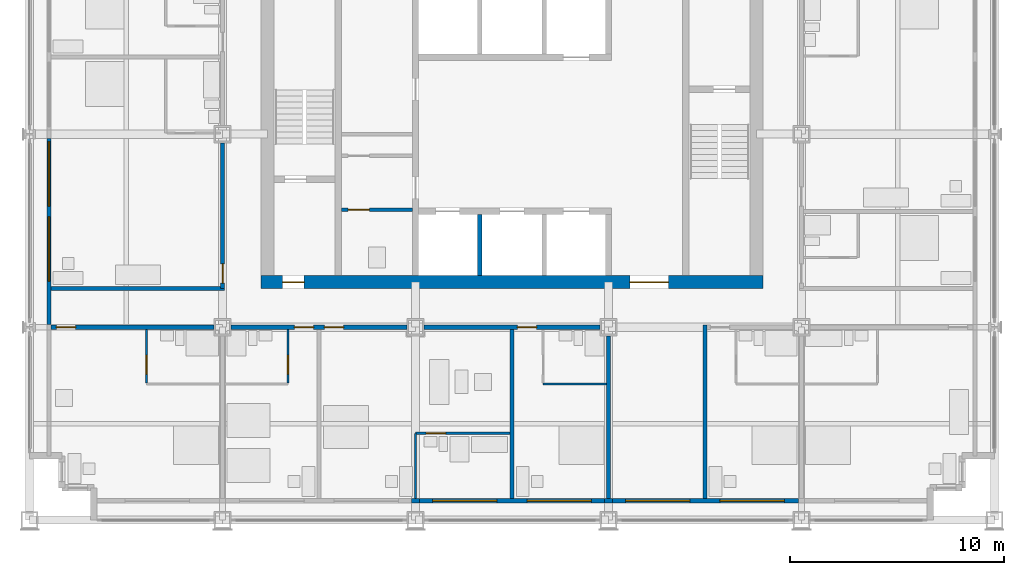
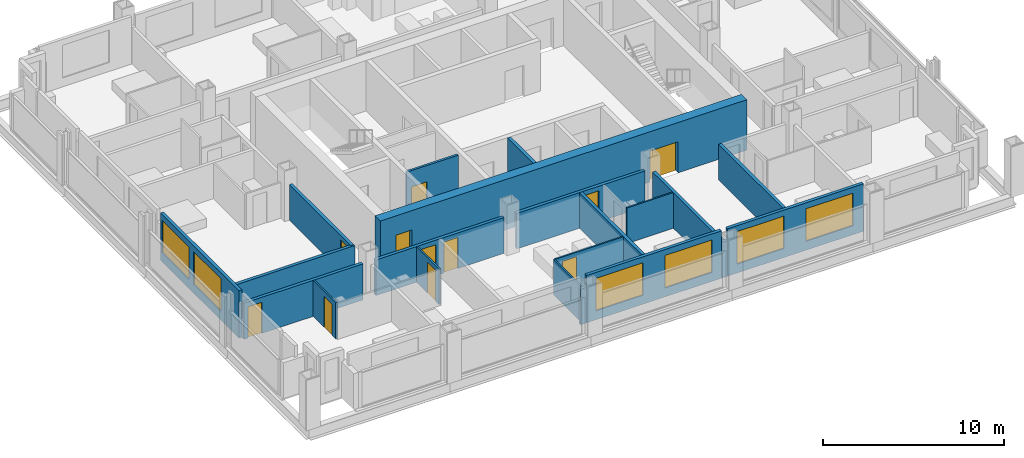
# One storey, part 9 of 16: 21 walls, 11 doors, 6 windows, 17 openings.
"""IFC4 building model written with IfcOpenShell, lengths in metres."""

from ifc_helpers import new_model, si_unit, direction, frame, frame_2d, origin, place, context, subcontext, project, spatial, rectangle, extrude, material, layer, layer_set, type_object, element, fill, save


model = new_model("IFC4")

# Units and contexts
model_context = context("Model", 3, precision=1e-05, world=origin(), true_north=direction((0.0, 1.0)))
body_context = subcontext(model_context, "Body", "Model", "MODEL_VIEW")
ifc_project = project(units=[si_unit("LENGTHUNIT", "METRE"), si_unit("AREAUNIT", "SQUARE_METRE"), si_unit("VOLUMEUNIT", "CUBIC_METRE"), si_unit("PLANEANGLEUNIT", "RADIAN"), si_unit("MASSUNIT", "GRAM", prefix="KILO")], contexts=[model_context])

# Site, building, storey
site_placement = place(None, origin())
site = spatial("IfcSite", under=ifc_project, at=site_placement, CompositionType="ELEMENT")
building_placement = place(site_placement, origin())
building = spatial("IfcBuilding", under=site, at=building_placement, Name="Loomwork Tower", CompositionType="ELEMENT")
storey_placement = place(building_placement, frame((0.0, 0.0, 118.0)))
storey = spatial("IfcBuildingStorey", under=building, at=storey_placement, Name="L31", CompositionType="ELEMENT", Elevation=118.0)

# Wall, openings, doors
ifc_material_1 = material(Name="Concrete 14000 psi (97 MPa)", Category="concrete")
ifc_layer_1 = layer(ifc_material_1, 0.60009765625)
ifc_layer_set_1 = layer_set([ifc_layer_1], Name="Core shear wall 600")
wall_type_1 = type_object("IfcWallType", Name="Core shear wall 600", PredefinedType="SHEAR", material=ifc_layer_set_1)
wall_1_placement = place(storey_placement, frame((10.800048828125, 11.10009765625, 0.0), z_axis=(0.0, 0.0, 1.0), x_axis=(1.0, 0.0, 0.0)))
wall_1 = element("IfcWall", 1, at=wall_1_placement, inside=storey, type_object=wall_type_1, Name="Core wall south L31", PredefinedType="SHEAR", context=body_context, shape_type="SweptSolid", body=[
    extrude(rectangle(XDim=23.39990234375, YDim=0.60009765625, at=frame_2d((11.699951171875, 0.0))), origin(), (0.0, 0.0, 1.0), 3.39990234375),
])
opening_1_placement = place(wall_1_placement, frame((1.0, 0.0, 0.0)))
opening_1 = element("IfcOpeningElement", 2, at=opening_1_placement, cuts=wall_1, Name="Opening D4", PredefinedType="OPENING", context=body_context, shape_type="SweptSolid", body=[
    extrude(rectangle(XDim=1.0, YDim=2.10009765625, at=frame_2d((0.5, 1.050048828125))), frame((0.0, 0.31005859375, 0.0), z_axis=(0.0, -1.0, 0.0), x_axis=(1.0, 0.0, 0.0)), (0.0, 0.0, 1.0), 0.6201171875),
])
opening_2_placement = place(wall_1_placement, frame((17.199951171875, 0.0, 0.0)))
opening_2 = element("IfcOpeningElement", 3, at=opening_2_placement, cuts=wall_1, Name="Opening D6", PredefinedType="OPENING", context=body_context, shape_type="SweptSolid", body=[
    extrude(rectangle(XDim=1.800048828125, YDim=2.10009765625, at=frame_2d((0.89990234375, 1.050048828125))), frame((0.0, 0.31005859375, 0.0), z_axis=(0.0, -1.0, 0.0), x_axis=(1.0, 0.0, 0.0)), (0.0, 0.0, 1.0), 0.6201171875),
])
ifc_material_2 = material(Name="Hollow metal door and frame")
door_type_1 = type_object("IfcDoorType", Name="Lobby passage double door 1800", OperationType="DOUBLE_DOOR_SINGLE_SWING", PredefinedType="DOOR", material=ifc_material_2)
door_1_placement = place(opening_2_placement, origin())
door_1 = element("IfcDoor", 4, at=door_1_placement, inside=storey, type_object=door_type_1, Name="Lobby passage door south", OperationType="DOUBLE_DOOR_SINGLE_SWING", OverallHeight=2.10009765625, OverallWidth=1.800048828125, PredefinedType="DOOR", context=body_context, shape_type="SweptSolid", body=[
    extrude(rectangle(XDim=1.800048828125, YDim=2.10009765625, at=frame_2d((0.89990234375, 1.050048828125))), frame((0.0, 0.02490234375, 0.0), z_axis=(0.0, -1.0, 0.0), x_axis=(1.0, 0.0, 0.0)), (0.0, 0.0, 1.0), 0.050048828125),
])
fill(opening_2, door_1)
ifc_material_3 = material(Name="Hollow metal door and frame")
door_type_2 = type_object("IfcDoorType", Name="Stair door 1000", OperationType="SINGLE_SWING_RIGHT", PredefinedType="DOOR", material=ifc_material_3)
door_2_placement = place(opening_1_placement, origin())
door_2 = element("IfcDoor", 5, at=door_2_placement, inside=storey, type_object=door_type_2, Name="Stair A vestibule door", OperationType="SINGLE_SWING_LEFT", OverallHeight=2.10009765625, OverallWidth=1.0, PredefinedType="DOOR", context=body_context, shape_type="SweptSolid", body=[
    extrude(rectangle(XDim=1.0, YDim=2.10009765625, at=frame_2d((0.5, 1.050048828125))), frame((0.0, 0.02490234375, 0.0), z_axis=(0.0, -1.0, 0.0), x_axis=(1.0, 0.0, 0.0)), (0.0, 0.0, 1.0), 0.050048828125),
])
fill(opening_1, door_2)

# Wall, opening, door
ifc_material_4 = material(Name="Gypsum board on steel studs, one-hour", Category="steel")
ifc_layer_2 = layer(ifc_material_4, 0.199951171875)
ifc_layer_set_2 = layer_set([ifc_layer_2], Name="Corridor wall 200")
wall_type_2 = type_object("IfcWallType", Name="Corridor wall 200", PredefinedType="PARTITIONING", material=ifc_layer_set_2)
wall_2_placement = place(storey_placement, frame((1.0, 9.0, 0.0), z_axis=(0.0, 0.0, 1.0), x_axis=(1.0, 0.0, 0.0)))
wall_2 = element("IfcWall", 6, at=wall_2_placement, inside=storey, type_object=wall_type_2, Name="South corridor wall 1", PredefinedType="PARTITIONING", context=body_context, shape_type="SweptSolid", body=[
    extrude(rectangle(XDim=7.60009765625, YDim=0.199951171875, at=frame_2d((3.800048828125, 0.0))), origin(), (0.0, 0.0, 1.0), 2.43798828125),
])
opening_3_placement = place(wall_2_placement, frame((0.25, 0.0, 0.0)))
opening_3 = element("IfcOpeningElement", 7, at=opening_3_placement, cuts=wall_2, Name="Opening D1", PredefinedType="OPENING", context=body_context, shape_type="SweptSolid", body=[
    extrude(rectangle(XDim=0.89990234375, YDim=2.10009765625, at=frame_2d((0.449951171875, 1.050048828125))), frame((0.0, 0.10986328125, 0.0), z_axis=(0.0, -1.0, 0.0), x_axis=(1.0, 0.0, 0.0)), (0.0, 0.0, 1.0), 0.219970703125),
])
ifc_material_5 = material(Name="Hollow metal door and frame")
door_type_3 = type_object("IfcDoorType", Name="Guest room entry door 900", OperationType="SINGLE_SWING_LEFT", PredefinedType="DOOR", material=ifc_material_5)
door_3_placement = place(opening_3_placement, frame((0.89990234375, 0.0, 0.0), z_axis=(0.0, 0.0, 1.0), x_axis=(-1.0, 0.0, 0.0)))
door_3 = element("IfcDoor", 8, at=door_3_placement, inside=storey, type_object=door_type_3, Name="Guest room entry door L31 1", OperationType="SINGLE_SWING_RIGHT", OverallHeight=2.10009765625, OverallWidth=0.89990234375, PredefinedType="DOOR", context=body_context, shape_type="SweptSolid", body=[
    extrude(rectangle(XDim=0.89990234375, YDim=2.10009765625, at=frame_2d((0.449951171875, 1.050048828125))), frame((0.0, 0.02490234375, 0.0), z_axis=(0.0, -1.0, 0.0), x_axis=(1.0, 0.0, 0.0)), (0.0, 0.0, 1.0), 0.050048828125),
])
fill(opening_3, door_3)

# Wall, openings, doors
wall_3_placement = place(storey_placement, frame((9.39990234375, 9.0, 0.0), z_axis=(0.0, 0.0, 1.0), x_axis=(1.0, 0.0, 0.0)))
wall_3 = element("IfcWall", 9, at=wall_3_placement, inside=storey, type_object=wall_type_2, Name="South corridor wall 2", PredefinedType="PARTITIONING", context=body_context, shape_type="SweptSolid", body=[
    extrude(rectangle(XDim=8.2001953125, YDim=0.199951171875, at=frame_2d((4.10009765625, 0.0))), origin(), (0.0, 0.0, 1.0), 2.405029296875),
])
opening_4_placement = place(wall_3_placement, frame((2.949951171875, 0.0, 0.0)))
opening_4 = element("IfcOpeningElement", 10, at=opening_4_placement, cuts=wall_3, Name="Opening D1", PredefinedType="OPENING", context=body_context, shape_type="SweptSolid", body=[
    extrude(rectangle(XDim=0.89990234375, YDim=2.10009765625, at=frame_2d((0.449951171875, 1.050048828125))), frame((0.0, 0.10986328125, 0.0), z_axis=(0.0, -1.0, 0.0), x_axis=(1.0, 0.0, 0.0)), (0.0, 0.0, 1.0), 0.219970703125),
])
opening_5_placement = place(wall_3_placement, frame((4.35009765625, 0.0, 0.0)))
opening_5 = element("IfcOpeningElement", 11, at=opening_5_placement, cuts=wall_3, Name="Opening D1", PredefinedType="OPENING", context=body_context, shape_type="SweptSolid", body=[
    extrude(rectangle(XDim=0.89990234375, YDim=2.10009765625, at=frame_2d((0.449951171875, 1.050048828125))), frame((0.0, 0.10986328125, 0.0), z_axis=(0.0, -1.0, 0.0), x_axis=(1.0, 0.0, 0.0)), (0.0, 0.0, 1.0), 0.219970703125),
])
door_4_placement = place(opening_4_placement, frame((0.89990234375, 0.0, 0.0), z_axis=(0.0, 0.0, 1.0), x_axis=(-1.0, 0.0, 0.0)))
door_4 = element("IfcDoor", 12, at=door_4_placement, inside=storey, type_object=door_type_3, Name="Guest room entry door L31 2", OperationType="SINGLE_SWING_LEFT", OverallHeight=2.10009765625, OverallWidth=0.89990234375, PredefinedType="DOOR", context=body_context, shape_type="SweptSolid", body=[
    extrude(rectangle(XDim=0.89990234375, YDim=2.10009765625, at=frame_2d((0.449951171875, 1.050048828125))), frame((0.0, 0.02490234375, 0.0), z_axis=(0.0, -1.0, 0.0), x_axis=(1.0, 0.0, 0.0)), (0.0, 0.0, 1.0), 0.050048828125),
])
fill(opening_4, door_4)
door_5_placement = place(opening_5_placement, frame((0.89990234375, 0.0, 0.0), z_axis=(0.0, 0.0, 1.0), x_axis=(-1.0, 0.0, 0.0)))
door_5 = element("IfcDoor", 13, at=door_5_placement, inside=storey, type_object=door_type_3, Name="Guest room entry door L31 3", OperationType="SINGLE_SWING_RIGHT", OverallHeight=2.10009765625, OverallWidth=0.89990234375, PredefinedType="DOOR", context=body_context, shape_type="SweptSolid", body=[
    extrude(rectangle(XDim=0.89990234375, YDim=2.10009765625, at=frame_2d((0.449951171875, 1.050048828125))), frame((0.0, 0.02490234375, 0.0), z_axis=(0.0, -1.0, 0.0), x_axis=(1.0, 0.0, 0.0)), (0.0, 0.0, 1.0), 0.050048828125),
])
fill(opening_5, door_5)

# Wall, opening, door
wall_4_placement = place(storey_placement, frame((18.39990234375, 9.0, 0.0), z_axis=(0.0, 0.0, 1.0), x_axis=(1.0, 0.0, 0.0)))
wall_4 = element("IfcWall", 14, at=wall_4_placement, inside=storey, type_object=wall_type_2, Name="South corridor wall 3", PredefinedType="PARTITIONING", context=body_context, shape_type="SweptSolid", body=[
    extrude(rectangle(XDim=8.2001953125, YDim=0.199951171875, at=frame_2d((4.10009765625, 0.0))), origin(), (0.0, 0.0, 1.0), 2.405029296875),
])
opening_6_placement = place(wall_4_placement, frame((4.35009765625, 0.0, 0.0)))
opening_6 = element("IfcOpeningElement", 15, at=opening_6_placement, cuts=wall_4, Name="Opening D1", PredefinedType="OPENING", context=body_context, shape_type="SweptSolid", body=[
    extrude(rectangle(XDim=0.89990234375, YDim=2.10009765625, at=frame_2d((0.449951171875, 1.050048828125))), frame((0.0, 0.10986328125, 0.0), z_axis=(0.0, -1.0, 0.0), x_axis=(1.0, 0.0, 0.0)), (0.0, 0.0, 1.0), 0.219970703125),
])
door_6_placement = place(opening_6_placement, frame((0.89990234375, 0.0, 0.0), z_axis=(0.0, 0.0, 1.0), x_axis=(-1.0, 0.0, 0.0)))
door_6 = element("IfcDoor", 16, at=door_6_placement, inside=storey, type_object=door_type_3, Name="Guest room entry door L31 4", OperationType="SINGLE_SWING_RIGHT", OverallHeight=2.10009765625, OverallWidth=0.89990234375, PredefinedType="DOOR", context=body_context, shape_type="SweptSolid", body=[
    extrude(rectangle(XDim=0.89990234375, YDim=2.10009765625, at=frame_2d((0.449951171875, 1.050048828125))), frame((0.0, 0.02490234375, 0.0), z_axis=(0.0, -1.0, 0.0), x_axis=(1.0, 0.0, 0.0)), (0.0, 0.0, 1.0), 0.050048828125),
])
fill(opening_6, door_6)

wall_5_placement = place(storey_placement, frame((9.0, 10.800048828125, 0.0), z_axis=(0.0, 0.0, 1.0), x_axis=(0.0, 1.0, 0.0)))
wall_5 = element("IfcWall", 17, at=wall_5_placement, inside=storey, type_object=wall_type_2, Name="West corridor wall 1", PredefinedType="PARTITIONING", context=body_context, shape_type="SweptSolid", body=[
    extrude(rectangle(XDim=6.800048828125, YDim=0.199951171875, at=frame_2d((3.39990234375, 0.0))), origin(), (0.0, 0.0, 1.0), 2.405029296875),
])
opening_7_placement = place(wall_5_placement, frame((0.25, 0.0, 0.0)))
opening_7 = element("IfcOpeningElement", 18, at=opening_7_placement, cuts=wall_5, Name="Opening D1", PredefinedType="OPENING", context=body_context, shape_type="SweptSolid", body=[
    extrude(rectangle(XDim=0.89990234375, YDim=2.10009765625, at=frame_2d((0.449951171875, 1.050048828125))), frame((0.0, 0.10986328125, 0.0), z_axis=(0.0, -1.0, 0.0), x_axis=(1.0, 0.0, 0.0)), (0.0, 0.0, 1.0), 0.219970703125),
])
door_7_placement = place(opening_7_placement, origin())
door_7 = element("IfcDoor", 19, at=door_7_placement, inside=storey, type_object=door_type_3, Name="Guest room entry door L31 12", OperationType="SINGLE_SWING_LEFT", OverallHeight=2.10009765625, OverallWidth=0.89990234375, PredefinedType="DOOR", context=body_context, shape_type="SweptSolid", body=[
    extrude(rectangle(XDim=0.89990234375, YDim=2.10009765625, at=frame_2d((0.449951171875, 1.050048828125))), frame((0.0, 0.02490234375, 0.0), z_axis=(0.0, -1.0, 0.0), x_axis=(1.0, 0.0, 0.0)), (0.0, 0.0, 1.0), 0.050048828125),
])
fill(opening_7, door_7)

# Wall
wall_6_placement = place(storey_placement, frame((1.0, 10.800048828125, 0.0), z_axis=(0.0, 0.0, 1.0), x_axis=(1.0, 0.0, 0.0)))
element("IfcWall", 20, at=wall_6_placement, inside=storey, type_object=wall_type_2, Name="West band end wall S", PredefinedType="PARTITIONING", context=body_context, shape_type="SweptSolid", body=[
    extrude(rectangle(XDim=8.10009765625, YDim=0.199951171875, at=frame_2d((4.050048828125, 0.0))), origin(), (0.0, 0.0, 1.0), 2.404052734375),
])

# Wall, opening, door
ifc_material_6 = material(Name="Cement board on steel studs", Category="steel")
ifc_layer_3 = layer(ifc_material_6, 0.10009765625)
ifc_layer_set_3 = layer_set([ifc_layer_3], Name="En-suite partition 100")
wall_type_3 = type_object("IfcWallType", Name="En-suite partition 100", PredefinedType="PARTITIONING", material=ifc_layer_set_3)
wall_7_placement = place(storey_placement, frame((5.449951171875, 8.89990234375, 0.0), z_axis=(0.0, 0.0, 1.0), x_axis=(0.0, -1.0, 0.0)))
wall_7 = element("IfcWall", 21, at=wall_7_placement, inside=storey, type_object=wall_type_3, Name="En-suite side wall L31 room 1", PredefinedType="PARTITIONING", context=body_context, shape_type="SweptSolid", body=[
    extrude(rectangle(XDim=2.5, YDim=0.10009765625, at=frame_2d((1.25, 0.0))), origin(), (0.0, 0.0, 1.0), 2.43798828125),
])
opening_8_placement = place(wall_7_placement, frame((1.199951171875, 0.0, 0.0)))
opening_8 = element("IfcOpeningElement", 22, at=opening_8_placement, cuts=wall_7, Name="Opening D3", PredefinedType="OPENING", context=body_context, shape_type="SweptSolid", body=[
    extrude(rectangle(XDim=0.89990234375, YDim=2.10009765625, at=frame_2d((0.449951171875, 1.050048828125))), frame((0.0, 0.06005859375, 0.0), z_axis=(0.0, -1.0, 0.0), x_axis=(1.0, 0.0, 0.0)), (0.0, 0.0, 1.0), 0.1201171875),
])
ifc_material_7 = material(Name="Hollow metal door and frame")
door_type_4 = type_object("IfcDoorType", Name="Accessible en-suite door 900", OperationType="SLIDING_TO_LEFT", PredefinedType="DOOR", material=ifc_material_7)
door_8_placement = place(opening_8_placement, origin())
door_8 = element("IfcDoor", 23, at=door_8_placement, inside=storey, type_object=door_type_4, Name="Accessible en-suite door room 1", OperationType="SLIDING_TO_LEFT", OverallHeight=2.10009765625, OverallWidth=0.89990234375, PredefinedType="DOOR", context=body_context, shape_type="SweptSolid", body=[
    extrude(rectangle(XDim=0.89990234375, YDim=2.10009765625, at=frame_2d((0.449951171875, 1.050048828125))), frame((0.0, 0.02490234375, 0.0), z_axis=(0.0, -1.0, 0.0), x_axis=(1.0, 0.0, 0.0)), (0.0, 0.0, 1.0), 0.050048828125),
])
fill(opening_8, door_8)

wall_8_placement = place(storey_placement, frame((12.050048828125, 8.89990234375, 0.0), z_axis=(0.0, 0.0, 1.0), x_axis=(0.0, -1.0, 0.0)))
wall_8 = element("IfcWall", 24, at=wall_8_placement, inside=storey, type_object=wall_type_3, Name="En-suite side wall L31 room 2", PredefinedType="PARTITIONING", context=body_context, shape_type="SweptSolid", body=[
    extrude(rectangle(XDim=2.5, YDim=0.10009765625, at=frame_2d((1.25, 0.0))), origin(), (0.0, 0.0, 1.0), 2.404052734375),
])
opening_9_placement = place(wall_8_placement, frame((1.199951171875, 0.0, 0.0)))
opening_9 = element("IfcOpeningElement", 25, at=opening_9_placement, cuts=wall_8, Name="Opening D2", PredefinedType="OPENING", context=body_context, shape_type="SweptSolid", body=[
    extrude(rectangle(XDim=0.89990234375, YDim=2.10009765625, at=frame_2d((0.449951171875, 1.050048828125))), frame((0.0, 0.06005859375, 0.0), z_axis=(0.0, -1.0, 0.0), x_axis=(1.0, 0.0, 0.0)), (0.0, 0.0, 1.0), 0.1201171875),
])
ifc_material_8 = material(Name="Hollow metal door and frame")
door_type_5 = type_object("IfcDoorType", Name="En-suite door 900", OperationType="SINGLE_SWING_LEFT", PredefinedType="DOOR", material=ifc_material_8)
door_9_placement = place(opening_9_placement, frame((0.89990234375, 0.0, 0.0), z_axis=(0.0, 0.0, 1.0), x_axis=(-1.0, 0.0, 0.0)))
door_9 = element("IfcDoor", 26, at=door_9_placement, inside=storey, type_object=door_type_5, Name="En-suite door room 2", OperationType="SINGLE_SWING_LEFT", OverallHeight=2.10009765625, OverallWidth=0.89990234375, PredefinedType="DOOR", context=body_context, shape_type="SweptSolid", body=[
    extrude(rectangle(XDim=0.89990234375, YDim=2.10009765625, at=frame_2d((0.449951171875, 1.050048828125))), frame((0.0, 0.02490234375, 0.0), z_axis=(0.0, -1.0, 0.0), x_axis=(1.0, 0.0, 0.0)), (0.0, 0.0, 1.0), 0.050048828125),
])
fill(opening_9, door_9)

wall_9_placement = place(storey_placement, frame((18.0, 4.050048828125, 0.0), z_axis=(0.0, 0.0, 1.0), x_axis=(1.0, 0.0, 0.0)))
wall_9 = element("IfcWall", 27, at=wall_9_placement, inside=storey, type_object=wall_type_3, Name="Spa bathroom wall L31 room 3", PredefinedType="PARTITIONING", context=body_context, shape_type="SweptSolid", body=[
    extrude(rectangle(XDim=4.39990234375, YDim=0.10009765625, at=frame_2d((2.199951171875, 0.0))), origin(), (0.0, 0.0, 1.0), 2.404052734375),
])
opening_10_placement = place(wall_9_placement, frame((0.5, 0.0, 0.0)))
opening_10 = element("IfcOpeningElement", 28, at=opening_10_placement, cuts=wall_9, Name="Opening D2", PredefinedType="OPENING", context=body_context, shape_type="SweptSolid", body=[
    extrude(rectangle(XDim=0.89990234375, YDim=2.10009765625, at=frame_2d((0.449951171875, 1.050048828125))), frame((0.0, 0.06005859375, 0.0), z_axis=(0.0, -1.0, 0.0), x_axis=(1.0, 0.0, 0.0)), (0.0, 0.0, 1.0), 0.1201171875),
])
door_10_placement = place(opening_10_placement, frame((0.89990234375, 0.0, 0.0), z_axis=(0.0, 0.0, 1.0), x_axis=(-1.0, 0.0, 0.0)))
door_10 = element("IfcDoor", 29, at=door_10_placement, inside=storey, type_object=door_type_5, Name="Spa bathroom door room 3", OperationType="SINGLE_SWING_RIGHT", OverallHeight=2.10009765625, OverallWidth=0.89990234375, PredefinedType="DOOR", context=body_context, shape_type="SweptSolid", body=[
    extrude(rectangle(XDim=0.89990234375, YDim=2.10009765625, at=frame_2d((0.449951171875, 1.050048828125))), frame((0.0, 0.02490234375, 0.0), z_axis=(0.0, -1.0, 0.0), x_axis=(1.0, 0.0, 0.0)), (0.0, 0.0, 1.0), 0.050048828125),
])
fill(opening_10, door_10)

# Walls
wall_10_placement = place(storey_placement, frame((18.0, 4.050048828125, 0.0), z_axis=(0.0, 0.0, 1.0), x_axis=(0.0, -1.0, 0.0)))
element("IfcWall", 30, at=wall_10_placement, inside=storey, type_object=wall_type_3, Name="Spa bathroom side wall L31 room 3", PredefinedType="PARTITIONING", context=body_context, shape_type="SweptSolid", body=[
    extrude(rectangle(XDim=3.050048828125, YDim=0.10009765625, at=frame_2d((1.52490234375, 0.0))), origin(), (0.0, 0.0, 1.0), 2.405029296875),
])
wall_11_placement = place(storey_placement, frame((23.949951171875, 6.35009765625, 0.0), z_axis=(0.0, 0.0, 1.0), x_axis=(1.0, 0.0, 0.0)))
element("IfcWall", 31, at=wall_11_placement, inside=storey, type_object=wall_type_3, Name="En-suite wall L31 room 4", PredefinedType="PARTITIONING", context=body_context, shape_type="SweptSolid", body=[
    extrude(rectangle(XDim=2.949951171875, YDim=0.10009765625, at=frame_2d((1.47509765625, 0.0))), origin(), (0.0, 0.0, 1.0), 2.404052734375),
])
ifc_material_9 = material(Name="Gypsum board on steel studs, acoustic", Category="steel")
ifc_layer_4 = layer(ifc_material_9, 0.199951171875)
ifc_layer_set_4 = layer_set([ifc_layer_4], Name="Guest room party wall 200")
wall_type_4 = type_object("IfcWallType", Name="Guest room party wall 200", PredefinedType="PARTITIONING", material=ifc_layer_set_4)
wall_12_placement = place(storey_placement, frame((22.5, 8.89990234375, 0.0), z_axis=(0.0, 0.0, 1.0), x_axis=(0.0, -1.0, 0.0)))
element("IfcWall", 32, at=wall_12_placement, inside=storey, type_object=wall_type_4, Name="Guest room party wall S 22.5", PredefinedType="PARTITIONING", context=body_context, shape_type="SweptSolid", body=[
    extrude(rectangle(XDim=7.89990234375, YDim=0.199951171875, at=frame_2d((3.949951171875, 0.0))), origin(), (0.0, 0.0, 1.0), 2.404052734375),
])
wall_13_placement = place(storey_placement, frame((27.0, 8.60009765625, 0.0), z_axis=(0.0, 0.0, 1.0), x_axis=(0.0, -1.0, 0.0)))
element("IfcWall", 33, at=wall_13_placement, inside=storey, type_object=wall_type_4, Name="Guest room party wall S 27", PredefinedType="PARTITIONING", context=body_context, shape_type="SweptSolid", body=[
    extrude(rectangle(XDim=7.60009765625, YDim=0.199951171875, at=frame_2d((3.800048828125, 0.0))), origin(), (0.0, 0.0, 1.0), 2.405029296875),
])
wall_14_placement = place(storey_placement, frame((31.5, 9.10009765625, 0.0), z_axis=(0.0, 0.0, 1.0), x_axis=(0.0, -1.0, 0.0)))
element("IfcWall", 34, at=wall_14_placement, inside=storey, type_object=wall_type_4, Name="Guest room party wall S 31.5", PredefinedType="PARTITIONING", context=body_context, shape_type="SweptSolid", body=[
    extrude(rectangle(XDim=8.10009765625, YDim=0.199951171875, at=frame_2d((4.050048828125, 0.0))), origin(), (0.0, 0.0, 1.0), 2.404052734375),
])
ifc_material_10 = material(Name="Insulated steel stud wall with gypsum lining", Category="steel")
ifc_layer_5 = layer(ifc_material_10, 0.199951171875)
ifc_layer_set_5 = layer_set([ifc_layer_5], Name="Inner skin wall 200")
wall_type_5 = type_object("IfcWallType", Name="Inner skin wall 200", PredefinedType="SOLIDWALL", material=ifc_layer_set_5)
wall_15_placement = place(storey_placement, frame((17.80615234375, 0.89990234375, 0.0), z_axis=(0.0, 0.0, 1.0), x_axis=(1.0, 0.0, 0.0)))
element("IfcWall", 35, at=wall_15_placement, inside=storey, type_object=wall_type_5, Name="Inner skin wall S bay 4", PredefinedType="SOLIDWALL", context=body_context, shape_type="SweptSolid", body=[
    extrude(rectangle(XDim=0.3876953125, YDim=0.199951171875, at=frame_2d((0.19384765625, 0.0))), origin(), (0.0, 0.0, 1.0), 2.404052734375),
])

# Wall, openings, windows
wall_16_placement = place(storey_placement, frame((18.19384765625, 0.89990234375, 0.0), z_axis=(0.0, 0.0, 1.0), x_axis=(1.0, 0.0, 0.0)))
wall_16 = element("IfcWall", 36, at=wall_16_placement, inside=storey, type_object=wall_type_5, Name="Inner skin wall S bay 5", PredefinedType="SOLIDWALL", context=body_context, shape_type="SweptSolid", body=[
    extrude(rectangle(XDim=8.6123046875, YDim=0.199951171875, at=frame_2d((4.30615234375, 0.0))), origin(), (0.0, 0.0, 1.0), 3.199951171875),
])
opening_11_placement = place(wall_16_placement, frame((0.606201171875, 0.0, 0.60009765625)))
opening_11 = element("IfcOpeningElement", 37, at=opening_11_placement, cuts=wall_16, Name="Opening CH1", PredefinedType="OPENING", context=body_context, shape_type="SweptSolid", body=[
    extrude(rectangle(XDim=3.0, YDim=2.199951171875, at=frame_2d((1.5, 1.10009765625))), frame((0.0, 0.10986328125, 0.0), z_axis=(0.0, -1.0, 0.0), x_axis=(1.0, 0.0, 0.0)), (0.0, 0.0, 1.0), 0.219970703125),
])
opening_12_placement = place(wall_16_placement, frame((5.006103515625, 0.0, 0.60009765625)))
opening_12 = element("IfcOpeningElement", 38, at=opening_12_placement, cuts=wall_16, Name="Opening CH1", PredefinedType="OPENING", context=body_context, shape_type="SweptSolid", body=[
    extrude(rectangle(XDim=3.0, YDim=2.199951171875, at=frame_2d((1.5, 1.10009765625))), frame((0.0, 0.10986328125, 0.0), z_axis=(0.0, -1.0, 0.0), x_axis=(1.0, 0.0, 0.0)), (0.0, 0.0, 1.0), 0.219970703125),
])
ifc_material_11 = material(Name="Aluminium frame with clear insulated glass", Category="aluminium")
window_type = type_object("IfcWindowType", Name="Chicago window 3000", PartitioningType="TRIPLE_PANEL_VERTICAL", PredefinedType="WINDOW", material=ifc_material_11)
window_1_placement = place(opening_11_placement, origin())
window_1 = element("IfcWindow", 39, at=window_1_placement, inside=storey, type_object=window_type, Name="Chicago window L31 bay 3", OverallHeight=2.199951171875, OverallWidth=3.0, PartitioningType="TRIPLE_PANEL_VERTICAL", PredefinedType="WINDOW", context=body_context, shape_type="SweptSolid", body=[
    extrude(rectangle(XDim=3.0, YDim=2.199951171875, at=frame_2d((1.5, 1.10009765625))), frame((0.0, 0.030029296875, 0.0), z_axis=(0.0, -1.0, 0.0), x_axis=(1.0, 0.0, 0.0)), (0.0, 0.0, 1.0), 0.06005859375),
])
fill(opening_11, window_1)
window_2_placement = place(opening_12_placement, origin())
window_2 = element("IfcWindow", 40, at=window_2_placement, inside=storey, type_object=window_type, Name="Chicago window L31 bay 3", OverallHeight=2.199951171875, OverallWidth=3.0, PartitioningType="TRIPLE_PANEL_VERTICAL", PredefinedType="WINDOW", context=body_context, shape_type="SweptSolid", body=[
    extrude(rectangle(XDim=3.0, YDim=2.199951171875, at=frame_2d((1.5, 1.10009765625))), frame((0.0, 0.030029296875, 0.0), z_axis=(0.0, -1.0, 0.0), x_axis=(1.0, 0.0, 0.0)), (0.0, 0.0, 1.0), 0.06005859375),
])
fill(opening_12, window_2)

# Wall
wall_17_placement = place(storey_placement, frame((26.80615234375, 0.89990234375, 0.0), z_axis=(0.0, 0.0, 1.0), x_axis=(1.0, 0.0, 0.0)))
element("IfcWall", 41, at=wall_17_placement, inside=storey, type_object=wall_type_5, Name="Inner skin wall S bay 6", PredefinedType="SOLIDWALL", context=body_context, shape_type="SweptSolid", body=[
    extrude(rectangle(XDim=0.3876953125, YDim=0.199951171875, at=frame_2d((0.19384765625, 0.0))), origin(), (0.0, 0.0, 1.0), 2.404052734375),
])

# Wall, openings, windows
wall_18_placement = place(storey_placement, frame((27.19384765625, 0.89990234375, 0.0), z_axis=(0.0, 0.0, 1.0), x_axis=(1.0, 0.0, 0.0)))
wall_18 = element("IfcWall", 42, at=wall_18_placement, inside=storey, type_object=wall_type_5, Name="Inner skin wall S bay 7", PredefinedType="SOLIDWALL", context=body_context, shape_type="SweptSolid", body=[
    extrude(rectangle(XDim=8.670654296875, YDim=0.199951171875, at=frame_2d((4.33544921875, 0.0))), origin(), (0.0, 0.0, 1.0), 3.199951171875),
])
opening_13_placement = place(wall_18_placement, frame((0.606201171875, 0.0, 0.60009765625)))
opening_13 = element("IfcOpeningElement", 43, at=opening_13_placement, cuts=wall_18, Name="Opening CH1", PredefinedType="OPENING", context=body_context, shape_type="SweptSolid", body=[
    extrude(rectangle(XDim=3.0, YDim=2.199951171875, at=frame_2d((1.5, 1.10009765625))), frame((0.0, 0.10986328125, 0.0), z_axis=(0.0, -1.0, 0.0), x_axis=(1.0, 0.0, 0.0)), (0.0, 0.0, 1.0), 0.219970703125),
])
opening_14_placement = place(wall_18_placement, frame((5.006103515625, 0.0, 0.60009765625)))
opening_14 = element("IfcOpeningElement", 44, at=opening_14_placement, cuts=wall_18, Name="Opening CH1", PredefinedType="OPENING", context=body_context, shape_type="SweptSolid", body=[
    extrude(rectangle(XDim=3.0, YDim=2.199951171875, at=frame_2d((1.5, 1.10009765625))), frame((0.0, 0.10986328125, 0.0), z_axis=(0.0, -1.0, 0.0), x_axis=(1.0, 0.0, 0.0)), (0.0, 0.0, 1.0), 0.219970703125),
])
window_3_placement = place(opening_13_placement, origin())
window_3 = element("IfcWindow", 45, at=window_3_placement, inside=storey, type_object=window_type, Name="Chicago window L31 bay 4", OverallHeight=2.199951171875, OverallWidth=3.0, PartitioningType="TRIPLE_PANEL_VERTICAL", PredefinedType="WINDOW", context=body_context, shape_type="SweptSolid", body=[
    extrude(rectangle(XDim=3.0, YDim=2.199951171875, at=frame_2d((1.5, 1.10009765625))), frame((0.0, 0.030029296875, 0.0), z_axis=(0.0, -1.0, 0.0), x_axis=(1.0, 0.0, 0.0)), (0.0, 0.0, 1.0), 0.06005859375),
])
fill(opening_13, window_3)
window_4_placement = place(opening_14_placement, origin())
window_4 = element("IfcWindow", 46, at=window_4_placement, inside=storey, type_object=window_type, Name="Chicago window L31 bay 4", OverallHeight=2.199951171875, OverallWidth=3.0, PartitioningType="TRIPLE_PANEL_VERTICAL", PredefinedType="WINDOW", context=body_context, shape_type="SweptSolid", body=[
    extrude(rectangle(XDim=3.0, YDim=2.199951171875, at=frame_2d((1.5, 1.10009765625))), frame((0.0, 0.030029296875, 0.0), z_axis=(0.0, -1.0, 0.0), x_axis=(1.0, 0.0, 0.0)), (0.0, 0.0, 1.0), 0.06005859375),
])
fill(opening_14, window_4)

wall_19_placement = place(storey_placement, frame((0.89990234375, 9.13525390625, 0.0), z_axis=(0.0, 0.0, 1.0), x_axis=(0.0, 1.0, 0.0)))
wall_19 = element("IfcWall", 47, at=wall_19_placement, inside=storey, type_object=wall_type_5, Name="Inner skin wall W bay 5", PredefinedType="SOLIDWALL", context=body_context, shape_type="SweptSolid", body=[
    extrude(rectangle(XDim=8.6708984375, YDim=0.199951171875, at=frame_2d((4.33544921875, 0.0))), origin(), (0.0, 0.0, 1.0), 3.199951171875),
])
opening_15_placement = place(wall_19_placement, frame((2.0146484375, 0.0, 0.60009765625)))
opening_15 = element("IfcOpeningElement", 48, at=opening_15_placement, cuts=wall_19, Name="Opening CH1", PredefinedType="OPENING", context=body_context, shape_type="SweptSolid", body=[
    extrude(rectangle(XDim=3.0, YDim=2.199951171875, at=frame_2d((1.5, 1.10009765625))), frame((0.0, 0.10986328125, 0.0), z_axis=(0.0, -1.0, 0.0), x_axis=(1.0, 0.0, 0.0)), (0.0, 0.0, 1.0), 0.219970703125),
])
opening_16_placement = place(wall_19_placement, frame((5.5146484375, 0.0, 0.60009765625)))
opening_16 = element("IfcOpeningElement", 49, at=opening_16_placement, cuts=wall_19, Name="Opening CH1", PredefinedType="OPENING", context=body_context, shape_type="SweptSolid", body=[
    extrude(rectangle(XDim=3.0, YDim=2.199951171875, at=frame_2d((1.5, 1.10009765625))), frame((0.0, 0.10986328125, 0.0), z_axis=(0.0, -1.0, 0.0), x_axis=(1.0, 0.0, 0.0)), (0.0, 0.0, 1.0), 0.219970703125),
])
window_5_placement = place(opening_15_placement, origin())
window_5 = element("IfcWindow", 50, at=window_5_placement, inside=storey, type_object=window_type, Name="Chicago window L31 bay 11", OverallHeight=2.199951171875, OverallWidth=3.0, PartitioningType="TRIPLE_PANEL_VERTICAL", PredefinedType="WINDOW", context=body_context, shape_type="SweptSolid", body=[
    extrude(rectangle(XDim=3.0, YDim=2.199951171875, at=frame_2d((1.5, 1.10009765625))), frame((0.0, 0.030029296875, 0.0), z_axis=(0.0, -1.0, 0.0), x_axis=(1.0, 0.0, 0.0)), (0.0, 0.0, 1.0), 0.06005859375),
])
fill(opening_15, window_5)
window_6_placement = place(opening_16_placement, origin())
window_6 = element("IfcWindow", 51, at=window_6_placement, inside=storey, type_object=window_type, Name="Chicago window L31 bay 11", OverallHeight=2.199951171875, OverallWidth=3.0, PartitioningType="TRIPLE_PANEL_VERTICAL", PredefinedType="WINDOW", context=body_context, shape_type="SweptSolid", body=[
    extrude(rectangle(XDim=3.0, YDim=2.199951171875, at=frame_2d((1.5, 1.10009765625))), frame((0.0, 0.030029296875, 0.0), z_axis=(0.0, -1.0, 0.0), x_axis=(1.0, 0.0, 0.0)), (0.0, 0.0, 1.0), 0.06005859375),
])
fill(opening_16, window_6)

# Wall
ifc_material_12 = material(Name="Concrete 14000 psi (97 MPa)", Category="concrete")
ifc_layer_6 = layer(ifc_material_12, 0.199951171875)
ifc_layer_set_6 = layer_set([ifc_layer_6], Name="Lift shaft wall 200")
wall_type_6 = type_object("IfcWallType", Name="Lift shaft wall 200", PredefinedType="SHEAR", material=ifc_layer_set_6)
wall_20_placement = place(storey_placement, frame((21.0, 11.39990234375, 0.0), z_axis=(0.0, 0.0, 1.0), x_axis=(0.0, 1.0, 0.0)))
element("IfcWall", 52, at=wall_20_placement, inside=storey, type_object=wall_type_6, Name="Lift shaft separation wall south 1 L31", PredefinedType="SHEAR", context=body_context, shape_type="SweptSolid", body=[
    extrude(rectangle(XDim=2.85009765625, YDim=0.199951171875, at=frame_2d((1.425048828125, 0.0))), origin(), (0.0, 0.0, 1.0), 3.39990234375),
])

# Wall, opening, door
ifc_material_13 = material(Name="Gypsum board on steel studs, one-hour", Category="steel")
ifc_layer_7 = layer(ifc_material_13, 0.14990234375)
ifc_layer_set_7 = layer_set([ifc_layer_7], Name="Service partition 150")
wall_type_7 = type_object("IfcWallType", Name="Service partition 150", PredefinedType="PARTITIONING", material=ifc_layer_set_7)
wall_21_placement = place(storey_placement, frame((14.550048828125, 14.47509765625, 0.0), z_axis=(0.0, 0.0, 1.0), x_axis=(1.0, 0.0, 0.0)))
wall_21 = element("IfcWall", 53, at=wall_21_placement, inside=storey, type_object=wall_type_7, Name="Back-of-house partition L31", PredefinedType="PARTITIONING", context=body_context, shape_type="SweptSolid", body=[
    extrude(rectangle(XDim=3.300048828125, YDim=0.14990234375, at=frame_2d((1.64990234375, 0.0))), origin(), (0.0, 0.0, 1.0), 3.199951171875),
])
opening_17_placement = place(wall_21_placement, frame((0.300048828125, 0.0, 0.0)))
opening_17 = element("IfcOpeningElement", 54, at=opening_17_placement, cuts=wall_21, Name="Opening D5", PredefinedType="OPENING", context=body_context, shape_type="SweptSolid", body=[
    extrude(rectangle(XDim=1.0, YDim=2.10009765625, at=frame_2d((0.5, 1.050048828125))), frame((0.0, 0.0849609375, 0.0), z_axis=(0.0, -1.0, 0.0), x_axis=(1.0, 0.0, 0.0)), (0.0, 0.0, 1.0), 0.169921875),
])
ifc_material_14 = material(Name="Hollow metal door and frame")
door_type_6 = type_object("IfcDoorType", Name="Service door 1000", OperationType="SINGLE_SWING_LEFT", PredefinedType="DOOR", material=ifc_material_14)
door_11_placement = place(opening_17_placement, origin())
door_11 = element("IfcDoor", 55, at=door_11_placement, inside=storey, type_object=door_type_6, Name="Back-of-house room door", OperationType="SINGLE_SWING_LEFT", OverallHeight=2.10009765625, OverallWidth=1.0, PredefinedType="DOOR", context=body_context, shape_type="SweptSolid", body=[
    extrude(rectangle(XDim=1.0, YDim=2.10009765625, at=frame_2d((0.5, 1.050048828125))), frame((0.0, 0.02490234375, 0.0), z_axis=(0.0, -1.0, 0.0), x_axis=(1.0, 0.0, 0.0)), (0.0, 0.0, 1.0), 0.050048828125),
])
fill(opening_17, door_11)

save(model, "model.ifc")
